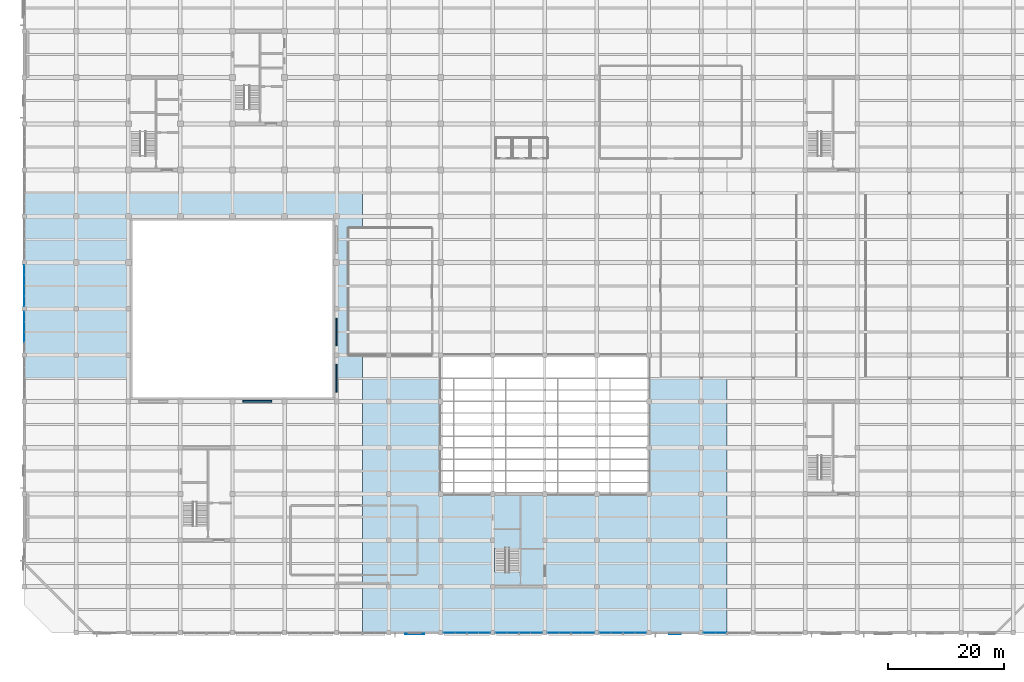
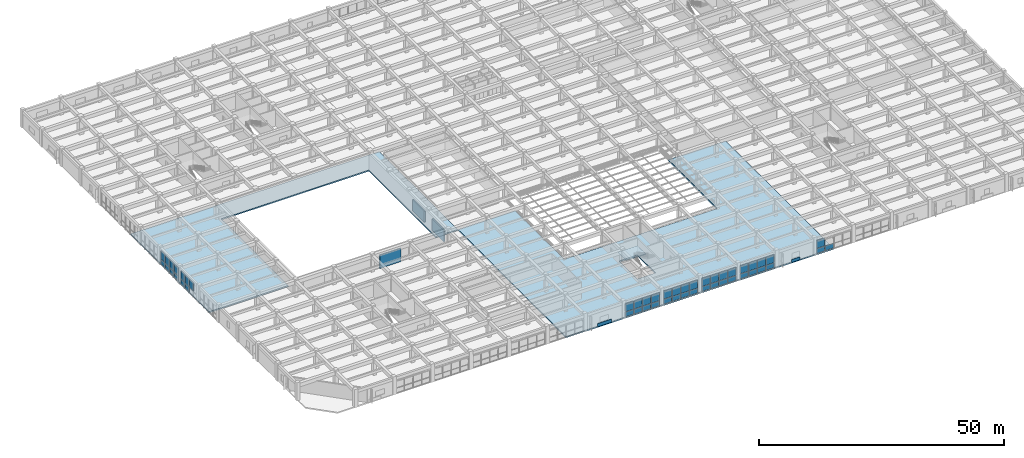
# One storey, part 21 of 50: 53 plates, 3 slabs, 8 elements without a shape of their own.
"""IFC4 building model written with IfcOpenShell, lengths in metres."""

from ifc_helpers import new_model, si_unit, direction, frame, frame_2d, origin, place, context, subcontext, project, spatial, polyline, rectangle, outline, extrude, material, layer, layer_set, type_object, element, aggregate, save


model = new_model("IFC4")

# Units and contexts
model_context = context("Model", 3, precision=1e-05, world=origin(), true_north=direction((0.0, 1.0)))
body_context = subcontext(model_context, "Body", "Model", "MODEL_VIEW")
ifc_project = project(units=[si_unit("LENGTHUNIT", "METRE"), si_unit("AREAUNIT", "SQUARE_METRE"), si_unit("VOLUMEUNIT", "CUBIC_METRE"), si_unit("PLANEANGLEUNIT", "RADIAN"), si_unit("MASSUNIT", "GRAM", prefix="KILO")], contexts=[model_context])

# Site, building, storey
site_placement = place(None, origin())
site = spatial("IfcSite", under=ifc_project, at=site_placement, CompositionType="ELEMENT")
building_placement = place(site_placement, origin())
building = spatial("IfcBuilding", under=site, at=building_placement, Name="Zaverband Oceanarium and Marine Research Institute", CompositionType="ELEMENT")
storey_placement = place(building_placement, frame((0.0, 0.0, 9.0)))
storey = spatial("IfcBuildingStorey", under=building, at=storey_placement, Name="L02", CompositionType="ELEMENT", Elevation=9.0)

# Plates
ifc_material_1 = material(Name="Monolithic cast polymethyl methacrylate (PMMA) viewing acrylic")
ifc_layer_1 = layer(ifc_material_1, 0.25, Name="Monolithic cast polymethyl methacrylate (PMMA) viewing acrylic")
ifc_layer_set_1 = layer_set([ifc_layer_1], Name="Monolithic cast polymethyl methacrylate (PMMA) viewing acrylic")
plate_type_1 = type_object("IfcPlateType", Name="AP-4800x2700x250", PredefinedType="SHEET", material=ifc_layer_set_1)
plate_1_placement = place(storey_placement, frame((53.949951171875, 49.60009765625, 0.0), z_axis=(0.0, 0.0, 1.0), x_axis=(0.0, 1.0, 0.0)))
element("IfcPlate", 1, at=plate_1_placement, inside=storey, type_object=plate_type_1, Name="Monolithic cast-acrylic viewport / tunnel panel AP-4800x2700x250", PredefinedType="SHEET", context=body_context, shape_type="SweptSolid", body=[
    extrude(rectangle(XDim=4.7998046875, YDim=0.25, at=frame_2d((2.39990234375, 0.0))), origin(), (0.0, 0.0, 1.0), 2.699951171875),
])
ifc_layer_2 = layer(ifc_material_1, 0.280029296875, Name="Monolithic cast polymethyl methacrylate (PMMA) viewing acrylic")
ifc_layer_set_2 = layer_set([ifc_layer_2], Name="Monolithic cast polymethyl methacrylate (PMMA) viewing acrylic")
plate_type_2 = type_object("IfcPlateType", Name="AP-4800x2800x280", PredefinedType="SHEET", material=ifc_layer_set_2)
plate_2_placement = place(storey_placement, frame((53.949951171875, 41.60009765625, 0.0), z_axis=(0.0, 0.0, 1.0), x_axis=(0.0, 1.0, 0.0)))
element("IfcPlate", 2, at=plate_2_placement, inside=storey, type_object=plate_type_2, Name="Monolithic cast-acrylic viewport / tunnel panel AP-4800x2800x280", PredefinedType="SHEET", context=body_context, shape_type="SweptSolid", body=[
    extrude(rectangle(XDim=4.7998046875, YDim=0.280029296875, at=frame_2d((2.39990234375, 0.0))), origin(), (0.0, 0.0, 1.0), 2.800048828125),
])
ifc_layer_3 = layer(ifc_material_1, 0.300048828125, Name="Monolithic cast polymethyl methacrylate (PMMA) viewing acrylic")
ifc_layer_set_3 = layer_set([ifc_layer_3], Name="Monolithic cast polymethyl methacrylate (PMMA) viewing acrylic")
plate_type_3 = type_object("IfcPlateType", Name="AP-5000x3300x300", PredefinedType="SHEET", material=ifc_layer_set_3)
plate_3_placement = place(storey_placement, frame((37.800048828125, 40.050048828125, 0.0), z_axis=(0.0, 0.0, 1.0), x_axis=(1.0, 0.0, 0.0)))
element("IfcPlate", 3, at=plate_3_placement, inside=storey, type_object=plate_type_3, Name="Monolithic cast-acrylic viewport / tunnel panel AP-5000x3300x300", PredefinedType="SHEET", context=body_context, shape_type="SweptSolid", body=[
    extrude(rectangle(XDim=5.0, YDim=0.300048828125, at=frame_2d((2.5, 0.0))), origin(), (0.0, 0.0, 1.0), 3.300048828125),
])

# Curtain wall, plates
ifc_material_2 = material(Name="Thermally broken anodized aluminium and solar-control glass", Category="aluminium")
curtain_wall_type = type_object("IfcCurtainWallType", Name="CW-UNIT-1800", PredefinedType="NOTDEFINED", material=ifc_material_2)
curtain_wall_1_placement = place(storey_placement, origin())
curtain_wall_1 = element("IfcCurtainWall", 4, at=curtain_wall_1_placement, inside=storey, type_object=curtain_wall_type, Name="Unitised glazed curtain wall CW-053", PredefinedType="NOTDEFINED")
ifc_material_3 = material(Name="Low-E double-glazed solar-control glass", Category="glass")
ifc_layer_4 = layer(ifc_material_3, 0.033935546875, Name="Low-E double-glazed solar-control glass")
ifc_layer_set_4 = layer_set([ifc_layer_4], Name="Low-E double-glazed solar-control glass")
plate_type_4 = type_object("IfcPlateType", Name="CWP-1515x1197", PredefinedType="CURTAIN_PANEL", material=ifc_layer_set_4)
plate_4_placement = place(storey_placement, frame((0.0, 52.080078125, 0.050048828125), z_axis=(0.0, 0.0, 1.0), x_axis=(0.0, 1.0, 0.0)))
plate_4 = element("IfcPlate", 5, at=plate_4_placement, type_object=plate_type_4, Name="Glazed curtain wall panel CWP-1515x1197", PredefinedType="CURTAIN_PANEL", context=body_context, shape_type="SweptSolid", body=[
    extrude(rectangle(XDim=1.637451171875, YDim=0.033935546875, at=frame_2d((0.81884765625, 0.0))), origin(), (0.0, 0.0, 1.0), 1.197021484375),
])
plate_5_placement = place(storey_placement, frame((0.0, 53.87744140625, 0.050048828125), z_axis=(0.0, 0.0, 1.0), x_axis=(0.0, 1.0, 0.0)))
plate_5 = element("IfcPlate", 6, at=plate_5_placement, type_object=plate_type_4, Name="Glazed curtain wall panel CWP-1515x1197", PredefinedType="CURTAIN_PANEL", context=body_context, shape_type="SweptSolid", body=[
    extrude(rectangle(XDim=1.637451171875, YDim=0.033935546875, at=frame_2d((0.81884765625, 0.0))), origin(), (0.0, 0.0, 1.0), 1.197021484375),
])

curtain_wall_2_placement = place(storey_placement, origin())
curtain_wall_2 = element("IfcCurtainWall", 7, at=curtain_wall_2_placement, inside=storey, type_object=curtain_wall_type, Name="Unitised glazed curtain wall CW-054", PredefinedType="NOTDEFINED")
plate_6_placement = place(storey_placement, frame((0.0, 56.485107421875, 0.050048828125), z_axis=(0.0, 0.0, 1.0), x_axis=(0.0, 1.0, 0.0)))
plate_6 = element("IfcPlate", 8, at=plate_6_placement, type_object=plate_type_4, Name="Glazed curtain wall panel CWP-1515x1197", PredefinedType="CURTAIN_PANEL", context=body_context, shape_type="SweptSolid", body=[
    extrude(rectangle(XDim=1.637451171875, YDim=0.033935546875, at=frame_2d((0.81884765625, 0.0))), origin(), (0.0, 0.0, 1.0), 1.197021484375),
])
plate_7_placement = place(storey_placement, frame((0.0, 58.282470703125, 0.050048828125), z_axis=(0.0, 0.0, 1.0), x_axis=(0.0, 1.0, 0.0)))
plate_7 = element("IfcPlate", 9, at=plate_7_placement, type_object=plate_type_4, Name="Glazed curtain wall panel CWP-1515x1197", PredefinedType="CURTAIN_PANEL", context=body_context, shape_type="SweptSolid", body=[
    extrude(rectangle(XDim=1.637451171875, YDim=0.033935546875, at=frame_2d((0.81884765625, 0.0))), origin(), (0.0, 0.0, 1.0), 1.197021484375),
])
plate_8_placement = place(storey_placement, frame((0.0, 60.080078125, 0.050048828125), z_axis=(0.0, 0.0, 1.0), x_axis=(0.0, 1.0, 0.0)))
plate_8 = element("IfcPlate", 10, at=plate_8_placement, type_object=plate_type_4, Name="Glazed curtain wall panel CWP-1515x1197", PredefinedType="CURTAIN_PANEL", context=body_context, shape_type="SweptSolid", body=[
    extrude(rectangle(XDim=1.637451171875, YDim=0.033935546875, at=frame_2d((0.81884765625, 0.0))), origin(), (0.0, 0.0, 1.0), 1.197021484375),
])
plate_9_placement = place(storey_placement, frame((0.0, 61.87744140625, 0.050048828125), z_axis=(0.0, 0.0, 1.0), x_axis=(0.0, 1.0, 0.0)))
plate_9 = element("IfcPlate", 11, at=plate_9_placement, type_object=plate_type_4, Name="Glazed curtain wall panel CWP-1515x1197", PredefinedType="CURTAIN_PANEL", context=body_context, shape_type="SweptSolid", body=[
    extrude(rectangle(XDim=1.637451171875, YDim=0.033935546875, at=frame_2d((0.81884765625, 0.0))), origin(), (0.0, 0.0, 1.0), 1.197021484375),
])

# Plate
ifc_layer_5 = layer(ifc_material_3, 0.035888671875, Name="Low-E double-glazed solar-control glass")
ifc_layer_set_5 = layer_set([ifc_layer_5], Name="Low-E double-glazed solar-control glass")
plate_type_5 = type_object("IfcPlateType", Name="CWP-1515x2063", PredefinedType="CURTAIN_PANEL", material=ifc_layer_set_5)
plate_10_placement = place(storey_placement, frame((0.0, 50.282470703125, 1.31689453125), z_axis=(0.0, 0.0, 1.0), x_axis=(0.0, 1.0, 0.0)))
plate_10 = element("IfcPlate", 12, at=plate_10_placement, type_object=plate_type_5, Name="Glazed curtain wall panel CWP-1515x2063", PredefinedType="CURTAIN_PANEL", context=body_context, shape_type="SweptSolid", body=[
    extrude(rectangle(XDim=1.637451171875, YDim=0.035888671875, at=frame_2d((0.81884765625, 0.0))), origin(), (0.0, 0.0, 1.0), 2.06298828125),
])

plate_11_placement = place(storey_placement, frame((0.0, 52.080078125, 1.31689453125), z_axis=(0.0, 0.0, 1.0), x_axis=(0.0, 1.0, 0.0)))
plate_11 = element("IfcPlate", 13, at=plate_11_placement, type_object=plate_type_5, Name="Glazed curtain wall panel CWP-1515x2063", PredefinedType="CURTAIN_PANEL", context=body_context, shape_type="SweptSolid", body=[
    extrude(rectangle(XDim=1.637451171875, YDim=0.035888671875, at=frame_2d((0.81884765625, 0.0))), origin(), (0.0, 0.0, 1.0), 2.06298828125),
])

plate_12_placement = place(storey_placement, frame((0.0, 53.87744140625, 1.31689453125), z_axis=(0.0, 0.0, 1.0), x_axis=(0.0, 1.0, 0.0)))
plate_12 = element("IfcPlate", 14, at=plate_12_placement, type_object=plate_type_5, Name="Glazed curtain wall panel CWP-1515x2063", PredefinedType="CURTAIN_PANEL", context=body_context, shape_type="SweptSolid", body=[
    extrude(rectangle(XDim=1.637451171875, YDim=0.035888671875, at=frame_2d((0.81884765625, 0.0))), origin(), (0.0, 0.0, 1.0), 2.06298828125),
])

aggregate(curtain_wall_1, [plate_10, plate_4, plate_11, plate_5, plate_12])

plate_13_placement = place(storey_placement, frame((0.0, 56.485107421875, 1.31689453125), z_axis=(0.0, 0.0, 1.0), x_axis=(0.0, 1.0, 0.0)))
plate_13 = element("IfcPlate", 15, at=plate_13_placement, type_object=plate_type_5, Name="Glazed curtain wall panel CWP-1515x2063", PredefinedType="CURTAIN_PANEL", context=body_context, shape_type="SweptSolid", body=[
    extrude(rectangle(XDim=1.637451171875, YDim=0.035888671875, at=frame_2d((0.81884765625, 0.0))), origin(), (0.0, 0.0, 1.0), 2.06298828125),
])

plate_14_placement = place(storey_placement, frame((0.0, 58.282470703125, 1.31689453125), z_axis=(0.0, 0.0, 1.0), x_axis=(0.0, 1.0, 0.0)))
plate_14 = element("IfcPlate", 16, at=plate_14_placement, type_object=plate_type_5, Name="Glazed curtain wall panel CWP-1515x2063", PredefinedType="CURTAIN_PANEL", context=body_context, shape_type="SweptSolid", body=[
    extrude(rectangle(XDim=1.637451171875, YDim=0.035888671875, at=frame_2d((0.81884765625, 0.0))), origin(), (0.0, 0.0, 1.0), 2.06298828125),
])

plate_15_placement = place(storey_placement, frame((0.0, 60.080078125, 1.31689453125), z_axis=(0.0, 0.0, 1.0), x_axis=(0.0, 1.0, 0.0)))
plate_15 = element("IfcPlate", 17, at=plate_15_placement, type_object=plate_type_5, Name="Glazed curtain wall panel CWP-1515x2063", PredefinedType="CURTAIN_PANEL", context=body_context, shape_type="SweptSolid", body=[
    extrude(rectangle(XDim=1.637451171875, YDim=0.035888671875, at=frame_2d((0.81884765625, 0.0))), origin(), (0.0, 0.0, 1.0), 2.06298828125),
])

plate_16_placement = place(storey_placement, frame((0.0, 61.87744140625, 1.31689453125), z_axis=(0.0, 0.0, 1.0), x_axis=(0.0, 1.0, 0.0)))
plate_16 = element("IfcPlate", 18, at=plate_16_placement, type_object=plate_type_5, Name="Glazed curtain wall panel CWP-1515x2063", PredefinedType="CURTAIN_PANEL", context=body_context, shape_type="SweptSolid", body=[
    extrude(rectangle(XDim=1.637451171875, YDim=0.035888671875, at=frame_2d((0.81884765625, 0.0))), origin(), (0.0, 0.0, 1.0), 2.06298828125),
])

aggregate(curtain_wall_2, [plate_6, plate_13, plate_7, plate_14, plate_8, plate_15, plate_9, plate_16])

# Curtain wall, plates
curtain_wall_3_placement = place(storey_placement, origin())
curtain_wall_3 = element("IfcCurtainWall", 19, at=curtain_wall_3_placement, inside=storey, type_object=curtain_wall_type, Name="Unitised glazed curtain wall CW-040", PredefinedType="NOTDEFINED")
ifc_layer_6 = layer(ifc_material_3, 0.033935546875, Name="Low-E double-glazed solar-control glass")
ifc_layer_set_6 = layer_set([ifc_layer_6], Name="Low-E double-glazed solar-control glass")
plate_type_6 = type_object("IfcPlateType", Name="CWP-1765x1197", PredefinedType="CURTAIN_PANEL", material=ifc_layer_set_6)
plate_17_placement = place(storey_placement, frame((72.485107421875, 0.0, 0.050048828125), z_axis=(0.0, 0.0, 1.0), x_axis=(1.0, 0.0, 0.0)))
plate_17 = element("IfcPlate", 20, at=plate_17_placement, type_object=plate_type_6, Name="Glazed curtain wall panel CWP-1765x1197", PredefinedType="CURTAIN_PANEL", context=body_context, shape_type="SweptSolid", body=[
    extrude(rectangle(XDim=1.887451171875, YDim=0.033935546875, at=frame_2d((0.94384765625, 0.0))), origin(), (0.0, 0.0, 1.0), 1.197021484375),
])
plate_18_placement = place(storey_placement, frame((74.532470703125, 0.0, 0.050048828125), z_axis=(0.0, 0.0, 1.0), x_axis=(1.0, 0.0, 0.0)))
plate_18 = element("IfcPlate", 21, at=plate_18_placement, type_object=plate_type_6, Name="Glazed curtain wall panel CWP-1765x1197", PredefinedType="CURTAIN_PANEL", context=body_context, shape_type="SweptSolid", body=[
    extrude(rectangle(XDim=1.887451171875, YDim=0.033935546875, at=frame_2d((0.94384765625, 0.0))), origin(), (0.0, 0.0, 1.0), 1.197021484375),
])
plate_19_placement = place(storey_placement, frame((76.580078125, 0.0, 0.050048828125), z_axis=(0.0, 0.0, 1.0), x_axis=(1.0, 0.0, 0.0)))
plate_19 = element("IfcPlate", 22, at=plate_19_placement, type_object=plate_type_6, Name="Glazed curtain wall panel CWP-1765x1197", PredefinedType="CURTAIN_PANEL", context=body_context, shape_type="SweptSolid", body=[
    extrude(rectangle(XDim=1.887451171875, YDim=0.033935546875, at=frame_2d((0.94384765625, 0.0))), origin(), (0.0, 0.0, 1.0), 1.197021484375),
])
plate_20_placement = place(storey_placement, frame((78.62744140625, 0.0, 0.050048828125), z_axis=(0.0, 0.0, 1.0), x_axis=(1.0, 0.0, 0.0)))
plate_20 = element("IfcPlate", 23, at=plate_20_placement, type_object=plate_type_6, Name="Glazed curtain wall panel CWP-1765x1197", PredefinedType="CURTAIN_PANEL", context=body_context, shape_type="SweptSolid", body=[
    extrude(rectangle(XDim=1.887451171875, YDim=0.033935546875, at=frame_2d((0.94384765625, 0.0))), origin(), (0.0, 0.0, 1.0), 1.197021484375),
])

curtain_wall_4_placement = place(storey_placement, origin())
curtain_wall_4 = element("IfcCurtainWall", 24, at=curtain_wall_4_placement, inside=storey, type_object=curtain_wall_type, Name="Unitised glazed curtain wall CW-041", PredefinedType="NOTDEFINED")
plate_21_placement = place(storey_placement, frame((81.485107421875, 0.0, 0.050048828125), z_axis=(0.0, 0.0, 1.0), x_axis=(1.0, 0.0, 0.0)))
plate_21 = element("IfcPlate", 25, at=plate_21_placement, type_object=plate_type_6, Name="Glazed curtain wall panel CWP-1765x1197", PredefinedType="CURTAIN_PANEL", context=body_context, shape_type="SweptSolid", body=[
    extrude(rectangle(XDim=1.887451171875, YDim=0.033935546875, at=frame_2d((0.94384765625, 0.0))), origin(), (0.0, 0.0, 1.0), 1.197021484375),
])
plate_22_placement = place(storey_placement, frame((83.532470703125, 0.0, 0.050048828125), z_axis=(0.0, 0.0, 1.0), x_axis=(1.0, 0.0, 0.0)))
plate_22 = element("IfcPlate", 26, at=plate_22_placement, type_object=plate_type_6, Name="Glazed curtain wall panel CWP-1765x1197", PredefinedType="CURTAIN_PANEL", context=body_context, shape_type="SweptSolid", body=[
    extrude(rectangle(XDim=1.887451171875, YDim=0.033935546875, at=frame_2d((0.94384765625, 0.0))), origin(), (0.0, 0.0, 1.0), 1.197021484375),
])
plate_23_placement = place(storey_placement, frame((85.580078125, 0.0, 0.050048828125), z_axis=(0.0, 0.0, 1.0), x_axis=(1.0, 0.0, 0.0)))
plate_23 = element("IfcPlate", 27, at=plate_23_placement, type_object=plate_type_6, Name="Glazed curtain wall panel CWP-1765x1197", PredefinedType="CURTAIN_PANEL", context=body_context, shape_type="SweptSolid", body=[
    extrude(rectangle(XDim=1.887451171875, YDim=0.033935546875, at=frame_2d((0.94384765625, 0.0))), origin(), (0.0, 0.0, 1.0), 1.197021484375),
])
plate_24_placement = place(storey_placement, frame((87.62744140625, 0.0, 0.050048828125), z_axis=(0.0, 0.0, 1.0), x_axis=(1.0, 0.0, 0.0)))
plate_24 = element("IfcPlate", 28, at=plate_24_placement, type_object=plate_type_6, Name="Glazed curtain wall panel CWP-1765x1197", PredefinedType="CURTAIN_PANEL", context=body_context, shape_type="SweptSolid", body=[
    extrude(rectangle(XDim=1.887451171875, YDim=0.033935546875, at=frame_2d((0.94384765625, 0.0))), origin(), (0.0, 0.0, 1.0), 1.197021484375),
])

curtain_wall_5_placement = place(storey_placement, origin())
curtain_wall_5 = element("IfcCurtainWall", 29, at=curtain_wall_5_placement, inside=storey, type_object=curtain_wall_type, Name="Unitised glazed curtain wall CW-042", PredefinedType="NOTDEFINED")
plate_25_placement = place(storey_placement, frame((90.485107421875, 0.0, 0.050048828125), z_axis=(0.0, 0.0, 1.0), x_axis=(1.0, 0.0, 0.0)))
plate_25 = element("IfcPlate", 30, at=plate_25_placement, type_object=plate_type_6, Name="Glazed curtain wall panel CWP-1765x1197", PredefinedType="CURTAIN_PANEL", context=body_context, shape_type="SweptSolid", body=[
    extrude(rectangle(XDim=1.887451171875, YDim=0.033935546875, at=frame_2d((0.94384765625, 0.0))), origin(), (0.0, 0.0, 1.0), 1.197021484375),
])
plate_26_placement = place(storey_placement, frame((92.532470703125, 0.0, 0.050048828125), z_axis=(0.0, 0.0, 1.0), x_axis=(1.0, 0.0, 0.0)))
plate_26 = element("IfcPlate", 31, at=plate_26_placement, type_object=plate_type_6, Name="Glazed curtain wall panel CWP-1765x1197", PredefinedType="CURTAIN_PANEL", context=body_context, shape_type="SweptSolid", body=[
    extrude(rectangle(XDim=1.887451171875, YDim=0.033935546875, at=frame_2d((0.94384765625, 0.0))), origin(), (0.0, 0.0, 1.0), 1.197021484375),
])
plate_27_placement = place(storey_placement, frame((94.580078125, 0.0, 0.050048828125), z_axis=(0.0, 0.0, 1.0), x_axis=(1.0, 0.0, 0.0)))
plate_27 = element("IfcPlate", 32, at=plate_27_placement, type_object=plate_type_6, Name="Glazed curtain wall panel CWP-1765x1197", PredefinedType="CURTAIN_PANEL", context=body_context, shape_type="SweptSolid", body=[
    extrude(rectangle(XDim=1.887451171875, YDim=0.033935546875, at=frame_2d((0.94384765625, 0.0))), origin(), (0.0, 0.0, 1.0), 1.197021484375),
])
plate_28_placement = place(storey_placement, frame((96.62744140625, 0.0, 0.050048828125), z_axis=(0.0, 0.0, 1.0), x_axis=(1.0, 0.0, 0.0)))
plate_28 = element("IfcPlate", 33, at=plate_28_placement, type_object=plate_type_6, Name="Glazed curtain wall panel CWP-1765x1197", PredefinedType="CURTAIN_PANEL", context=body_context, shape_type="SweptSolid", body=[
    extrude(rectangle(XDim=1.887451171875, YDim=0.033935546875, at=frame_2d((0.94384765625, 0.0))), origin(), (0.0, 0.0, 1.0), 1.197021484375),
])

curtain_wall_6_placement = place(storey_placement, origin())
curtain_wall_6 = element("IfcCurtainWall", 34, at=curtain_wall_6_placement, inside=storey, type_object=curtain_wall_type, Name="Unitised glazed curtain wall CW-043", PredefinedType="NOTDEFINED")
plate_29_placement = place(storey_placement, frame((99.485107421875, 0.0, 0.050048828125), z_axis=(0.0, 0.0, 1.0), x_axis=(1.0, 0.0, 0.0)))
plate_29 = element("IfcPlate", 35, at=plate_29_placement, type_object=plate_type_6, Name="Glazed curtain wall panel CWP-1765x1197", PredefinedType="CURTAIN_PANEL", context=body_context, shape_type="SweptSolid", body=[
    extrude(rectangle(XDim=1.887451171875, YDim=0.033935546875, at=frame_2d((0.94384765625, 0.0))), origin(), (0.0, 0.0, 1.0), 1.197021484375),
])
plate_30_placement = place(storey_placement, frame((101.532470703125, 0.0, 0.050048828125), z_axis=(0.0, 0.0, 1.0), x_axis=(1.0, 0.0, 0.0)))
plate_30 = element("IfcPlate", 36, at=plate_30_placement, type_object=plate_type_6, Name="Glazed curtain wall panel CWP-1765x1197", PredefinedType="CURTAIN_PANEL", context=body_context, shape_type="SweptSolid", body=[
    extrude(rectangle(XDim=1.887451171875, YDim=0.033935546875, at=frame_2d((0.94384765625, 0.0))), origin(), (0.0, 0.0, 1.0), 1.197021484375),
])
plate_31_placement = place(storey_placement, frame((103.580078125, 0.0, 0.050048828125), z_axis=(0.0, 0.0, 1.0), x_axis=(1.0, 0.0, 0.0)))
plate_31 = element("IfcPlate", 37, at=plate_31_placement, type_object=plate_type_6, Name="Glazed curtain wall panel CWP-1765x1197", PredefinedType="CURTAIN_PANEL", context=body_context, shape_type="SweptSolid", body=[
    extrude(rectangle(XDim=1.887451171875, YDim=0.033935546875, at=frame_2d((0.94384765625, 0.0))), origin(), (0.0, 0.0, 1.0), 1.197021484375),
])
plate_32_placement = place(storey_placement, frame((105.62744140625, 0.0, 0.050048828125), z_axis=(0.0, 0.0, 1.0), x_axis=(1.0, 0.0, 0.0)))
plate_32 = element("IfcPlate", 38, at=plate_32_placement, type_object=plate_type_6, Name="Glazed curtain wall panel CWP-1765x1197", PredefinedType="CURTAIN_PANEL", context=body_context, shape_type="SweptSolid", body=[
    extrude(rectangle(XDim=1.887451171875, YDim=0.033935546875, at=frame_2d((0.94384765625, 0.0))), origin(), (0.0, 0.0, 1.0), 1.197021484375),
])

curtain_wall_7_placement = place(storey_placement, origin())
curtain_wall_7 = element("IfcCurtainWall", 39, at=curtain_wall_7_placement, inside=storey, type_object=curtain_wall_type, Name="Unitised glazed curtain wall CW-044", PredefinedType="NOTDEFINED")
plate_33_placement = place(storey_placement, frame((117.485107421875, 0.0, 0.050048828125), z_axis=(0.0, 0.0, 1.0), x_axis=(1.0, 0.0, 0.0)))
plate_33 = element("IfcPlate", 40, at=plate_33_placement, type_object=plate_type_6, Name="Glazed curtain wall panel CWP-1765x1197", PredefinedType="CURTAIN_PANEL", context=body_context, shape_type="SweptSolid", body=[
    extrude(rectangle(XDim=1.887451171875, YDim=0.033935546875, at=frame_2d((0.94384765625, 0.0))), origin(), (0.0, 0.0, 1.0), 1.197021484375),
])
plate_34_placement = place(storey_placement, frame((119.532470703125, 0.0, 0.050048828125), z_axis=(0.0, 0.0, 1.0), x_axis=(1.0, 0.0, 0.0)))
plate_34 = element("IfcPlate", 41, at=plate_34_placement, type_object=plate_type_6, Name="Glazed curtain wall panel CWP-1765x1197", PredefinedType="CURTAIN_PANEL", context=body_context, shape_type="SweptSolid", body=[
    extrude(rectangle(XDim=1.887451171875, YDim=0.033935546875, at=frame_2d((0.94384765625, 0.0))), origin(), (0.0, 0.0, 1.0), 1.197021484375),
])

# Plate
ifc_layer_7 = layer(ifc_material_3, 0.035888671875, Name="Low-E double-glazed solar-control glass")
ifc_layer_set_7 = layer_set([ifc_layer_7], Name="Low-E double-glazed solar-control glass")
plate_type_7 = type_object("IfcPlateType", Name="CWP-1765x2063", PredefinedType="CURTAIN_PANEL", material=ifc_layer_set_7)
plate_35_placement = place(storey_placement, frame((72.485107421875, 0.0, 1.31689453125), z_axis=(0.0, 0.0, 1.0), x_axis=(1.0, 0.0, 0.0)))
plate_35 = element("IfcPlate", 42, at=plate_35_placement, type_object=plate_type_7, Name="Glazed curtain wall panel CWP-1765x2063", PredefinedType="CURTAIN_PANEL", context=body_context, shape_type="SweptSolid", body=[
    extrude(rectangle(XDim=1.887451171875, YDim=0.035888671875, at=frame_2d((0.94384765625, 0.0))), origin(), (0.0, 0.0, 1.0), 2.06298828125),
])

plate_36_placement = place(storey_placement, frame((74.532470703125, 0.0, 1.31689453125), z_axis=(0.0, 0.0, 1.0), x_axis=(1.0, 0.0, 0.0)))
plate_36 = element("IfcPlate", 43, at=plate_36_placement, type_object=plate_type_7, Name="Glazed curtain wall panel CWP-1765x2063", PredefinedType="CURTAIN_PANEL", context=body_context, shape_type="SweptSolid", body=[
    extrude(rectangle(XDim=1.887451171875, YDim=0.035888671875, at=frame_2d((0.94384765625, 0.0))), origin(), (0.0, 0.0, 1.0), 2.06298828125),
])

plate_37_placement = place(storey_placement, frame((76.580078125, 0.0, 1.31689453125), z_axis=(0.0, 0.0, 1.0), x_axis=(1.0, 0.0, 0.0)))
plate_37 = element("IfcPlate", 44, at=plate_37_placement, type_object=plate_type_7, Name="Glazed curtain wall panel CWP-1765x2063", PredefinedType="CURTAIN_PANEL", context=body_context, shape_type="SweptSolid", body=[
    extrude(rectangle(XDim=1.887451171875, YDim=0.035888671875, at=frame_2d((0.94384765625, 0.0))), origin(), (0.0, 0.0, 1.0), 2.06298828125),
])

plate_38_placement = place(storey_placement, frame((78.62744140625, 0.0, 1.31689453125), z_axis=(0.0, 0.0, 1.0), x_axis=(1.0, 0.0, 0.0)))
plate_38 = element("IfcPlate", 45, at=plate_38_placement, type_object=plate_type_7, Name="Glazed curtain wall panel CWP-1765x2063", PredefinedType="CURTAIN_PANEL", context=body_context, shape_type="SweptSolid", body=[
    extrude(rectangle(XDim=1.887451171875, YDim=0.035888671875, at=frame_2d((0.94384765625, 0.0))), origin(), (0.0, 0.0, 1.0), 2.06298828125),
])

aggregate(curtain_wall_3, [plate_17, plate_35, plate_18, plate_36, plate_19, plate_37, plate_20, plate_38])

plate_39_placement = place(storey_placement, frame((81.485107421875, 0.0, 1.31689453125), z_axis=(0.0, 0.0, 1.0), x_axis=(1.0, 0.0, 0.0)))
plate_39 = element("IfcPlate", 46, at=plate_39_placement, type_object=plate_type_7, Name="Glazed curtain wall panel CWP-1765x2063", PredefinedType="CURTAIN_PANEL", context=body_context, shape_type="SweptSolid", body=[
    extrude(rectangle(XDim=1.887451171875, YDim=0.035888671875, at=frame_2d((0.94384765625, 0.0))), origin(), (0.0, 0.0, 1.0), 2.06298828125),
])

plate_40_placement = place(storey_placement, frame((83.532470703125, 0.0, 1.31689453125), z_axis=(0.0, 0.0, 1.0), x_axis=(1.0, 0.0, 0.0)))
plate_40 = element("IfcPlate", 47, at=plate_40_placement, type_object=plate_type_7, Name="Glazed curtain wall panel CWP-1765x2063", PredefinedType="CURTAIN_PANEL", context=body_context, shape_type="SweptSolid", body=[
    extrude(rectangle(XDim=1.887451171875, YDim=0.035888671875, at=frame_2d((0.94384765625, 0.0))), origin(), (0.0, 0.0, 1.0), 2.06298828125),
])

plate_41_placement = place(storey_placement, frame((85.580078125, 0.0, 1.31689453125), z_axis=(0.0, 0.0, 1.0), x_axis=(1.0, 0.0, 0.0)))
plate_41 = element("IfcPlate", 48, at=plate_41_placement, type_object=plate_type_7, Name="Glazed curtain wall panel CWP-1765x2063", PredefinedType="CURTAIN_PANEL", context=body_context, shape_type="SweptSolid", body=[
    extrude(rectangle(XDim=1.887451171875, YDim=0.035888671875, at=frame_2d((0.94384765625, 0.0))), origin(), (0.0, 0.0, 1.0), 2.06298828125),
])

plate_42_placement = place(storey_placement, frame((87.62744140625, 0.0, 1.31689453125), z_axis=(0.0, 0.0, 1.0), x_axis=(1.0, 0.0, 0.0)))
plate_42 = element("IfcPlate", 49, at=plate_42_placement, type_object=plate_type_7, Name="Glazed curtain wall panel CWP-1765x2063", PredefinedType="CURTAIN_PANEL", context=body_context, shape_type="SweptSolid", body=[
    extrude(rectangle(XDim=1.887451171875, YDim=0.035888671875, at=frame_2d((0.94384765625, 0.0))), origin(), (0.0, 0.0, 1.0), 2.06298828125),
])

aggregate(curtain_wall_4, [plate_21, plate_39, plate_22, plate_40, plate_23, plate_41, plate_24, plate_42])

plate_43_placement = place(storey_placement, frame((90.485107421875, 0.0, 1.31689453125), z_axis=(0.0, 0.0, 1.0), x_axis=(1.0, 0.0, 0.0)))
plate_43 = element("IfcPlate", 50, at=plate_43_placement, type_object=plate_type_7, Name="Glazed curtain wall panel CWP-1765x2063", PredefinedType="CURTAIN_PANEL", context=body_context, shape_type="SweptSolid", body=[
    extrude(rectangle(XDim=1.887451171875, YDim=0.035888671875, at=frame_2d((0.94384765625, 0.0))), origin(), (0.0, 0.0, 1.0), 2.06298828125),
])

plate_44_placement = place(storey_placement, frame((92.532470703125, 0.0, 1.31689453125), z_axis=(0.0, 0.0, 1.0), x_axis=(1.0, 0.0, 0.0)))
plate_44 = element("IfcPlate", 51, at=plate_44_placement, type_object=plate_type_7, Name="Glazed curtain wall panel CWP-1765x2063", PredefinedType="CURTAIN_PANEL", context=body_context, shape_type="SweptSolid", body=[
    extrude(rectangle(XDim=1.887451171875, YDim=0.035888671875, at=frame_2d((0.94384765625, 0.0))), origin(), (0.0, 0.0, 1.0), 2.06298828125),
])

plate_45_placement = place(storey_placement, frame((94.580078125, 0.0, 1.31689453125), z_axis=(0.0, 0.0, 1.0), x_axis=(1.0, 0.0, 0.0)))
plate_45 = element("IfcPlate", 52, at=plate_45_placement, type_object=plate_type_7, Name="Glazed curtain wall panel CWP-1765x2063", PredefinedType="CURTAIN_PANEL", context=body_context, shape_type="SweptSolid", body=[
    extrude(rectangle(XDim=1.887451171875, YDim=0.035888671875, at=frame_2d((0.94384765625, 0.0))), origin(), (0.0, 0.0, 1.0), 2.06298828125),
])

plate_46_placement = place(storey_placement, frame((96.62744140625, 0.0, 1.31689453125), z_axis=(0.0, 0.0, 1.0), x_axis=(1.0, 0.0, 0.0)))
plate_46 = element("IfcPlate", 53, at=plate_46_placement, type_object=plate_type_7, Name="Glazed curtain wall panel CWP-1765x2063", PredefinedType="CURTAIN_PANEL", context=body_context, shape_type="SweptSolid", body=[
    extrude(rectangle(XDim=1.887451171875, YDim=0.035888671875, at=frame_2d((0.94384765625, 0.0))), origin(), (0.0, 0.0, 1.0), 2.06298828125),
])

aggregate(curtain_wall_5, [plate_25, plate_43, plate_26, plate_44, plate_27, plate_45, plate_28, plate_46])

plate_47_placement = place(storey_placement, frame((99.485107421875, 0.0, 1.31689453125), z_axis=(0.0, 0.0, 1.0), x_axis=(1.0, 0.0, 0.0)))
plate_47 = element("IfcPlate", 54, at=plate_47_placement, type_object=plate_type_7, Name="Glazed curtain wall panel CWP-1765x2063", PredefinedType="CURTAIN_PANEL", context=body_context, shape_type="SweptSolid", body=[
    extrude(rectangle(XDim=1.887451171875, YDim=0.035888671875, at=frame_2d((0.94384765625, 0.0))), origin(), (0.0, 0.0, 1.0), 2.06298828125),
])

plate_48_placement = place(storey_placement, frame((101.532470703125, 0.0, 1.31689453125), z_axis=(0.0, 0.0, 1.0), x_axis=(1.0, 0.0, 0.0)))
plate_48 = element("IfcPlate", 55, at=plate_48_placement, type_object=plate_type_7, Name="Glazed curtain wall panel CWP-1765x2063", PredefinedType="CURTAIN_PANEL", context=body_context, shape_type="SweptSolid", body=[
    extrude(rectangle(XDim=1.887451171875, YDim=0.035888671875, at=frame_2d((0.94384765625, 0.0))), origin(), (0.0, 0.0, 1.0), 2.06298828125),
])

plate_49_placement = place(storey_placement, frame((103.580078125, 0.0, 1.31689453125), z_axis=(0.0, 0.0, 1.0), x_axis=(1.0, 0.0, 0.0)))
plate_49 = element("IfcPlate", 56, at=plate_49_placement, type_object=plate_type_7, Name="Glazed curtain wall panel CWP-1765x2063", PredefinedType="CURTAIN_PANEL", context=body_context, shape_type="SweptSolid", body=[
    extrude(rectangle(XDim=1.887451171875, YDim=0.035888671875, at=frame_2d((0.94384765625, 0.0))), origin(), (0.0, 0.0, 1.0), 2.06298828125),
])

plate_50_placement = place(storey_placement, frame((105.62744140625, 0.0, 1.31689453125), z_axis=(0.0, 0.0, 1.0), x_axis=(1.0, 0.0, 0.0)))
plate_50 = element("IfcPlate", 57, at=plate_50_placement, type_object=plate_type_7, Name="Glazed curtain wall panel CWP-1765x2063", PredefinedType="CURTAIN_PANEL", context=body_context, shape_type="SweptSolid", body=[
    extrude(rectangle(XDim=1.887451171875, YDim=0.035888671875, at=frame_2d((0.94384765625, 0.0))), origin(), (0.0, 0.0, 1.0), 2.06298828125),
])

aggregate(curtain_wall_6, [plate_29, plate_47, plate_30, plate_48, plate_31, plate_49, plate_32, plate_50])

plate_51_placement = place(storey_placement, frame((117.485107421875, 0.0, 1.31689453125), z_axis=(0.0, 0.0, 1.0), x_axis=(1.0, 0.0, 0.0)))
plate_51 = element("IfcPlate", 58, at=plate_51_placement, type_object=plate_type_7, Name="Glazed curtain wall panel CWP-1765x2063", PredefinedType="CURTAIN_PANEL", context=body_context, shape_type="SweptSolid", body=[
    extrude(rectangle(XDim=1.887451171875, YDim=0.035888671875, at=frame_2d((0.94384765625, 0.0))), origin(), (0.0, 0.0, 1.0), 2.06298828125),
])

aggregate(curtain_wall_7, [plate_33, plate_51, plate_34])

# Plates
ifc_material_4 = material(Name="Concrete C40/50 precast ochre", Category="concrete")
ifc_layer_8 = layer(ifc_material_4, 0.070068359375, Name="Concrete C40/50 precast ochre")
ifc_layer_set_8 = layer_set([ifc_layer_8], Name="Concrete C40/50 precast ochre")
plate_type_8 = type_object("IfcPlateType", Name="FRP-2000x720", PredefinedType="USERDEFINED", material=ifc_layer_set_8)
plate_52_placement = place(storey_placement, frame((111.5, -0.1650390625, 0.0), z_axis=(0.0, 0.0, 1.0), x_axis=(1.0, 0.0, 0.0)))
element("IfcPlate", 59, at=plate_52_placement, inside=storey, type_object=plate_type_8, Name="Geometric precast facade cladding panel FRP-2000x720", ObjectType="FLANGE_PLATE", PredefinedType="USERDEFINED", context=body_context, shape_type="SweptSolid", body=[
    extrude(rectangle(XDim=2.0, YDim=0.070068359375, at=frame_2d((1.0, 0.0))), origin(), (0.0, 0.0, 1.0), 0.719970703125),
])
ifc_layer_9 = layer(ifc_material_4, 0.0849609375, Name="Concrete C40/50 precast ochre")
ifc_layer_set_9 = layer_set([ifc_layer_9], Name="Concrete C40/50 precast ochre")
plate_type_9 = type_object("IfcPlateType", Name="FRP-3300x800", PredefinedType="USERDEFINED", material=ifc_layer_set_9)
plate_53_placement = place(storey_placement, frame((65.85009765625, -0.1826171875, 0.0), z_axis=(0.0, 0.0, 1.0), x_axis=(1.0, 0.0, 0.0)))
element("IfcPlate", 60, at=plate_53_placement, inside=storey, type_object=plate_type_9, Name="Geometric precast facade cladding panel FRP-3300x800", ObjectType="FLANGE_PLATE", PredefinedType="USERDEFINED", context=body_context, shape_type="SweptSolid", body=[
    extrude(rectangle(XDim=3.2998046875, YDim=0.0849609375, at=frame_2d((1.64990234375, 0.0))), origin(), (0.0, 0.0, 1.0), 0.800048828125),
])

# Slabs
ifc_material_5 = material(Name="Concrete C40/50", Category="concrete")
ifc_layer_10 = layer(ifc_material_5, 0.320068359375, Name="Concrete C40/50")
ifc_layer_set_10 = layer_set([ifc_layer_10], Name="Concrete C40/50")
slab_type_1 = type_object("IfcSlabType", Name="SLB-GAL-320", PredefinedType="FLOOR", material=ifc_layer_set_10)
slab_1_placement = place(storey_placement, frame((0.0, 0.0, -0.320068359375)))
element("IfcSlab", 61, at=slab_1_placement, inside=storey, type_object=slab_type_1, Name="Suspended floor slab SLB-GAL-320", PredefinedType="FLOOR", context=body_context, shape_type="SweptSolid", body=[
    extrude(outline(polyline([(121.485107421875, 43.985107421875), (121.485107421875, 0.0), (58.514892578125, 0.0), (58.514892578125, 43.985107421875), (72.0, 43.985107421875), (72.0, 24.0), (108.0, 24.0), (108.0, 43.985107421875), (121.485107421875, 43.985107421875)]), holes=[polyline([(85.64990234375, 17.85009765625), (81.35009765625, 17.85009765625), (81.35009765625, 10.5), (85.64990234375, 10.5), (85.64990234375, 17.85009765625)])]), origin(), (0.0, 0.0, 1.0), 0.320068359375),
])
slab_2_placement = place(storey_placement, frame((0.0, 0.0, -0.320068359375)))
element("IfcSlab", 62, at=slab_2_placement, inside=storey, type_object=slab_type_1, Name="Suspended floor slab SLB-GAL-320", PredefinedType="FLOOR", context=body_context, shape_type="SweptSolid", body=[
    extrude(outline(polyline([(0.0, 44.014892578125), (0.0, 75.985107421875), (58.485107421875, 75.985107421875), (58.485107421875, 44.014892578125), (53.35009765625, 44.014892578125), (53.35009765625, 71.35009765625), (18.64990234375, 71.35009765625), (18.64990234375, 44.014892578125), (0.0, 44.014892578125)])), origin(), (0.0, 0.0, 1.0), 0.320068359375),
])

# Stair, slab
stair_type = type_object("IfcStairType", Name="STR-POD-1800-4500", PredefinedType="HALF_TURN_STAIR", material=ifc_material_5)
stair_placement = place(storey_placement, origin())
stair = element("IfcStair", 63, at=stair_placement, inside=storey, type_object=stair_type, Name="Exit Stair ST-06 (L02)", PredefinedType="HALF_TURN_STAIR")
ifc_layer_11 = layer(ifc_material_5, 0.219970703125, Name="Concrete C40/50")
ifc_layer_set_11 = layer_set([ifc_layer_11], Name="Concrete C40/50")
slab_type_2 = type_object("IfcSlabType", Name="SLB-LND-220", PredefinedType="LANDING", material=ifc_layer_set_11)
slab_3_placement = place(storey_placement, frame((0.0, 0.0, 2.030029296875)))
slab_3 = element("IfcSlab", 64, at=slab_3_placement, type_object=slab_type_2, Name="Stair / ramp landing slab SLB-LND-220", PredefinedType="LANDING", context=body_context, shape_type="SweptSolid", body=[
    extrude(outline(polyline([(81.139892578125, 14.570068359375), (85.735107421875, 14.570068359375), (85.735107421875, 17.93505859375), (81.139892578125, 17.93505859375), (81.139892578125, 14.570068359375)])), origin(), (0.0, 0.0, 1.0), 0.219970703125),
])
aggregate(stair, [slab_3])

save(model, "model.ifc")
